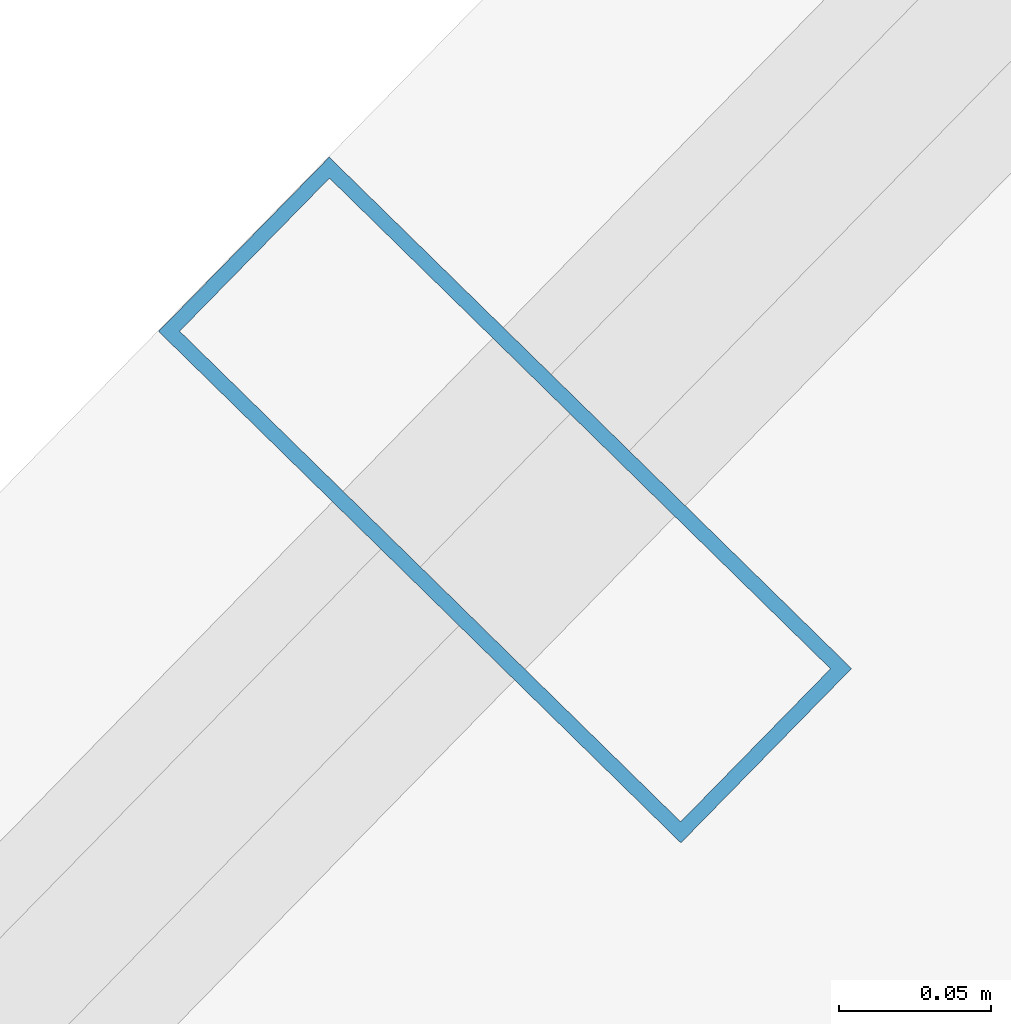
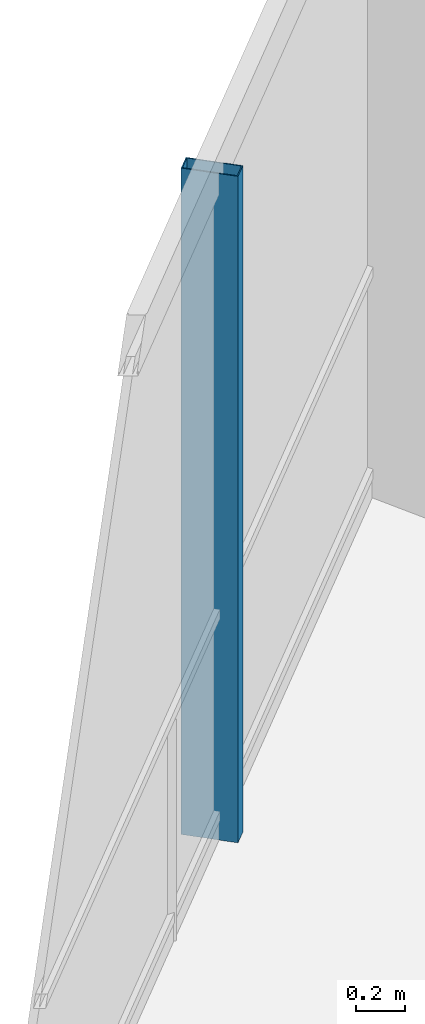
# One storey, part 8 of 18: 1 member, 1 element without a shape of its own.
"""IFC4 building model written with IfcOpenShell, lengths in metres."""

import ifcopenshell
import ifcopenshell.guid

model = None  # the IFC model being written
_history = None  # IfcOwnerHistory: only IFC2X3 demands one
_inside = {}  # id of a spatial element -> (the spatial element, [elements in it])
_under = {}  # id of a project, library or spatial element -> (it, [spatial elements below it])
_declared = {}  # id of a project -> (the project, [libraries it declares])
_typed = {}  # id of a type object -> (the type object, [elements of that type])
_made_of = {}  # id of a material, layer set ... -> (it, [elements and type objects made of it])


def new_model(schema):
    """Start an empty IFC model of exactly this schema.

    Asked for "IFC4X3", IfcOpenShell would pick the latest addendum, in which some entities
    have other attributes; the version numbers below select the first issue.
    IFC2X3 requires an IfcOwnerHistory on every rooted entity: one is made here for all.
    """
    global model, _history
    if schema == "IFC4X3":
        model = ifcopenshell.file(schema_version=(4, 3, 0, 0))
    else:
        model = ifcopenshell.file(schema=schema)
    _inside.clear()
    _under.clear()
    _declared.clear()
    _typed.clear()
    _made_of.clear()
    _history = None
    if model.schema == "IFC2X3":
        org = make("IfcOrganization", Name="unknown")
        user = make(
            "IfcPersonAndOrganization",
            ThePerson=make("IfcPerson", FamilyName="unknown"),
            TheOrganization=org,
        )
        app = make(
            "IfcApplication",
            ApplicationDeveloper=org,
            Version="unknown",
            ApplicationFullName="unknown",
            ApplicationIdentifier="unknown",
        )
        _history = make(
            "IfcOwnerHistory",
            OwningUser=user,
            OwningApplication=app,
            ChangeAction="ADDED",
            CreationDate=0,
        )
    return model


def make(cls, **values):
    """One entity of the class cls with the attributes given. An attribute that is None is left unset."""
    return model.create_entity(
        cls, **{name: value for name, value in values.items() if value is not None}
    )


def rooted(cls, **values):
    """An entity with a GlobalId (a new one), such as an element, a storey or a relation."""
    return make(cls, GlobalId=ifcopenshell.guid.new(), OwnerHistory=_history, **values)


def si_unit(unit_type, name, prefix=None):
    """IfcSIUnit, for example si_unit("LENGTHUNIT", "METRE", prefix="MILLI")."""
    return make("IfcSIUnit", UnitType=unit_type, Prefix=prefix, Name=name)


def assignment(units):
    """IfcUnitAssignment: the units of a project."""
    return None if units is None else make("IfcUnitAssignment", Units=units)


def point(xyz):
    """IfcCartesianPoint."""
    return None if xyz is None else make("IfcCartesianPoint", Coordinates=xyz)


def direction(xyz):
    """IfcDirection."""
    return None if xyz is None else make("IfcDirection", DirectionRatios=xyz)


def frame(location, z_axis=None, x_axis=None):
    """IfcAxis2Placement3D, a coordinate frame: its origin and axes. An axis left out is left unset."""
    return make(
        "IfcAxis2Placement3D",
        Location=point(location),
        Axis=direction(z_axis),
        RefDirection=direction(x_axis),
    )


def frame_2d(location, x_axis=None):
    """IfcAxis2Placement2D, a coordinate frame in the plane: its origin and x axis."""
    return make(
        "IfcAxis2Placement2D", Location=point(location), RefDirection=direction(x_axis)
    )


def origin():
    """The frame at (0, 0, 0) with its axes left unset."""
    return frame((0.0, 0.0, 0.0))


def origin_2d():
    """The frame at (0, 0) in the plane with its x axis left unset."""
    return frame_2d((0.0, 0.0))


def place(relative_to, where):
    """IfcLocalPlacement: puts the frame where relative to a parent placement (None: the world)."""
    return make(
        "IfcLocalPlacement", PlacementRelTo=relative_to, RelativePlacement=where
    )


def context(
    kind, dimensions, precision=None, world=None, true_north=None, identifier=None
):
    """IfcGeometricRepresentationContext, for example the 3D "Model" context."""
    return make(
        "IfcGeometricRepresentationContext",
        ContextIdentifier=identifier,
        ContextType=kind,
        CoordinateSpaceDimension=dimensions,
        Precision=precision,
        WorldCoordinateSystem=world,
        TrueNorth=true_north,
    )


def subcontext(parent, identifier, kind, view, scale=None):
    """IfcGeometricRepresentationSubContext, for example "Body" below "Model"."""
    return make(
        "IfcGeometricRepresentationSubContext",
        ContextIdentifier=identifier,
        ContextType=kind,
        ParentContext=parent,
        TargetScale=scale,
        TargetView=view,
    )


def project(units=None, contexts=None):
    """IfcProject with its units and contexts."""
    return rooted(
        "IfcProject",
        Name="project",
        RepresentationContexts=contexts,
        UnitsInContext=assignment(units),
    )


def spatial(cls, under=None, at=None, **own):
    """A site, building, storey or space (cls), placed at a placement, below another one or the project."""
    s = rooted(cls, ObjectPlacement=at, **own)
    if under is not None:
        _under.setdefault(under.id(), (under, []))[1].append(s)
    return s


def profile(cls, at=None, kind="AREA", **sizes):
    """A parametric profile (cls). Its sizes go by their IFC names, for example OverallWidth=200.0."""
    return make(cls, ProfileType=kind, Position=at, **sizes)


def hollow_rectangle(**sizes):
    """IfcRectangleHollowProfileDef."""
    return profile("IfcRectangleHollowProfileDef", **sizes)


def extrude(swept, where, along, depth):
    """IfcExtrudedAreaSolid: the profile swept, set in the frame where, extruded along a direction by depth."""
    return make(
        "IfcExtrudedAreaSolid",
        SweptArea=swept,
        Position=where,
        ExtrudedDirection=direction(along),
        Depth=depth,
    )


def shape(context_of_items, identifier, shape_type, items):
    """IfcShapeRepresentation: the items that make up one representation, for example the "Body"."""
    return make(
        "IfcShapeRepresentation",
        ContextOfItems=context_of_items,
        RepresentationIdentifier=identifier,
        RepresentationType=shape_type,
        Items=items,
    )


def material(Name=None, Category=None):
    """IfcMaterial."""
    return make("IfcMaterial", Name=Name, Category=Category)


def layer(
    of_material, thickness, ventilated=None, Name=None, Category=None, Priority=None
):
    """IfcMaterialLayer: one layer of a wall or slab, of a material (None: an air gap)."""
    return make(
        "IfcMaterialLayer",
        Material=of_material,
        LayerThickness=thickness,
        IsVentilated=ventilated,
        Name=Name,
        Category=Category,
        Priority=Priority,
    )


def layer_set(layers, Name=None):
    """IfcMaterialLayerSet."""
    return make("IfcMaterialLayerSet", MaterialLayers=layers, LayerSetName=Name)


def material_profile(
    of_material, cross_section, Name=None, Category=None, Priority=None
):
    """IfcMaterialProfile: a cross section and its material."""
    return make(
        "IfcMaterialProfile",
        Name=Name,
        Material=of_material,
        Profile=cross_section,
        Priority=Priority,
        Category=Category,
    )


def profile_set(profiles, Name=None, composite=None):
    """IfcMaterialProfileSet."""
    return make(
        "IfcMaterialProfileSet",
        Name=Name,
        MaterialProfiles=profiles,
        CompositeProfile=composite,
    )


def made_of(thing, what):
    """Note that an element or type object is made of a material, layer set ...; save() writes the relation."""
    if what is not None:
        _made_of.setdefault(what.id(), (what, []))[1].append(thing)
    return thing


def type_object(cls, material=None, **own):
    """A type object (cls), such as IfcWallType, which elements share."""
    return made_of(rooted(cls, **own), material)


def element(
    cls,
    number,
    at=None,
    inside=None,
    cuts=None,
    type_object=None,
    material=None,
    context=None,
    identifier="Body",
    shape_type=None,
    held_by="IfcProductDefinitionShape",
    body=None,
    shapes=None,
    **own,
):
    """One element of the class cls, such as IfcWall. Its Tag is "e" and its number.

    at: its placement. inside: the storey or other place that contains it. cuts: it is an
    opening in that element (IfcRelVoidsElement). A single representation is given by context,
    identifier, shape_type and body (its items); several are given by shapes. held_by: the class
    of the entity that holds the representations. save() writes the other relations.
    """
    e = rooted(cls, Tag="e%d" % number, ObjectPlacement=at, **own)
    if body is not None:
        shapes = [shape(context, identifier, shape_type, body)]
    if shapes is not None:
        e.Representation = make(held_by, Representations=shapes)
    if inside is not None:
        _inside.setdefault(inside.id(), (inside, []))[1].append(e)
    if cuts is not None:
        rooted(
            "IfcRelVoidsElement", RelatingBuildingElement=cuts, RelatedOpeningElement=e
        )
    if type_object is not None:
        _typed.setdefault(type_object.id(), (type_object, []))[1].append(e)
    return made_of(e, material)


def aggregate(whole, parts):
    """IfcRelAggregates: a whole, such as a stair, and the parts it consists of."""
    return rooted("IfcRelAggregates", RelatingObject=whole, RelatedObjects=parts)


def save(model, path):
    """Write the relations noted so far, then the file.

    IfcRelAggregates (storeys below a building ...), IfcRelContainedInSpatialStructure (elements
    in a storey), IfcRelDefinesByType, IfcRelAssociatesMaterial and IfcRelDeclares: one each for
    every whole, place, type object, material and project.
    """
    for whole, parts in _under.values():
        aggregate(whole, parts)
    for where, things in _inside.values():
        rooted(
            "IfcRelContainedInSpatialStructure",
            RelatedElements=things,
            RelatingStructure=where,
        )
    for kind, things in _typed.values():
        rooted("IfcRelDefinesByType", RelatedObjects=things, RelatingType=kind)
    for what, things in _made_of.values():
        rooted("IfcRelAssociatesMaterial", RelatedObjects=things, RelatingMaterial=what)
    for by, libraries in _declared.values():
        rooted("IfcRelDeclares", RelatingContext=by, RelatedDefinitions=libraries)
    model.write(path)


model = new_model("IFC4")

# Units and contexts
model_context = context("Model", 3, precision=1e-05, world=origin(), true_north=direction((0.0, 1.0)))
body_context = subcontext(model_context, "Body", "Model", "MODEL_VIEW")
ifc_project = project(units=[si_unit("LENGTHUNIT", "METRE"), si_unit("AREAUNIT", "SQUARE_METRE"), si_unit("VOLUMEUNIT", "CUBIC_METRE"), si_unit("PLANEANGLEUNIT", "RADIAN"), si_unit("MASSUNIT", "GRAM", prefix="KILO")], contexts=[model_context])

# Site, building, storey
site_placement = place(None, origin())
site = spatial("IfcSite", under=ifc_project, at=site_placement, CompositionType="ELEMENT")
building_placement = place(site_placement, origin())
building = spatial("IfcBuilding", under=site, at=building_placement, Name="Qarnah Convention Tower", CompositionType="ELEMENT")
storey_placement = place(building_placement, frame((0.0, 0.0, 239.10009765625)))
storey = spatial("IfcBuildingStorey", under=building, at=storey_placement, Name="L64", CompositionType="ELEMENT", Elevation=239.10009765625)

# Curtain wall, member
ifc_material_1 = material(Name="Tempered Low-E dark glass", Category="glass")
ifc_layer = layer(ifc_material_1, 0.176025390625)
ifc_layer_set = layer_set([ifc_layer], Name="Tempered Low-E dark glass")
curtain_wall_type = type_object("IfcCurtainWallType", Name="CWS-05", PredefinedType="NOTDEFINED", material=ifc_layer_set)
curtain_wall_placement = place(storey_placement, origin())
curtain_wall = element("IfcCurtainWall", 1, at=curtain_wall_placement, inside=storey, type_object=curtain_wall_type, Name="L64 unitised curtain wall CW-L64-F1", PredefinedType="NOTDEFINED")
ifc_material_2 = material(Name="Black anodised aluminium", Category="aluminium")
ifc_material_profile = material_profile(ifc_material_2, hollow_rectangle(XDim=0.080078125, YDim=0.239990234375, WallThickness=0.0048828125, at=origin_2d()), Name="MUL-80X240")
ifc_profile_set = profile_set([ifc_material_profile], Name="Black anodised aluminium")
member_type = type_object("IfcMemberType", Name="MUL-T5", PredefinedType="MULLION", material=ifc_profile_set)
member_placement = place(storey_placement, frame((28.260009765625, 39.12158203125, 0.0), z_axis=(0.0, 0.0, 1.0), x_axis=(0.699640931758, 0.714494623219, 0.0)))
member = element("IfcMember", 2, at=member_placement, type_object=member_type, Name="CW-L64-F1 mullion 4", PredefinedType="MULLION", context=body_context, shape_type="SweptSolid", body=[
    extrude(hollow_rectangle(XDim=0.080078125, YDim=0.239990234375, WallThickness=0.0048828125, at=origin_2d()), origin(), (0.0, 0.0, 1.0), 3.31982421875),
])
aggregate(curtain_wall, [member])

save(model, "model.ifc")
